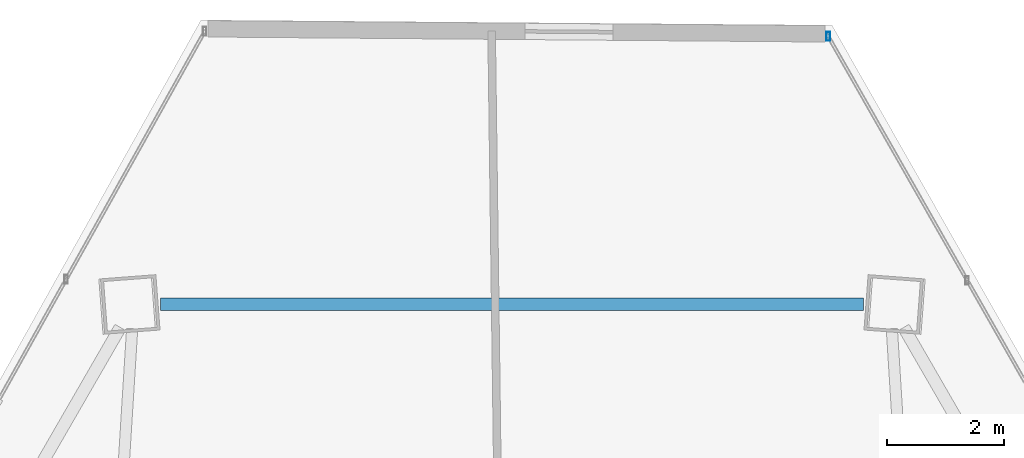
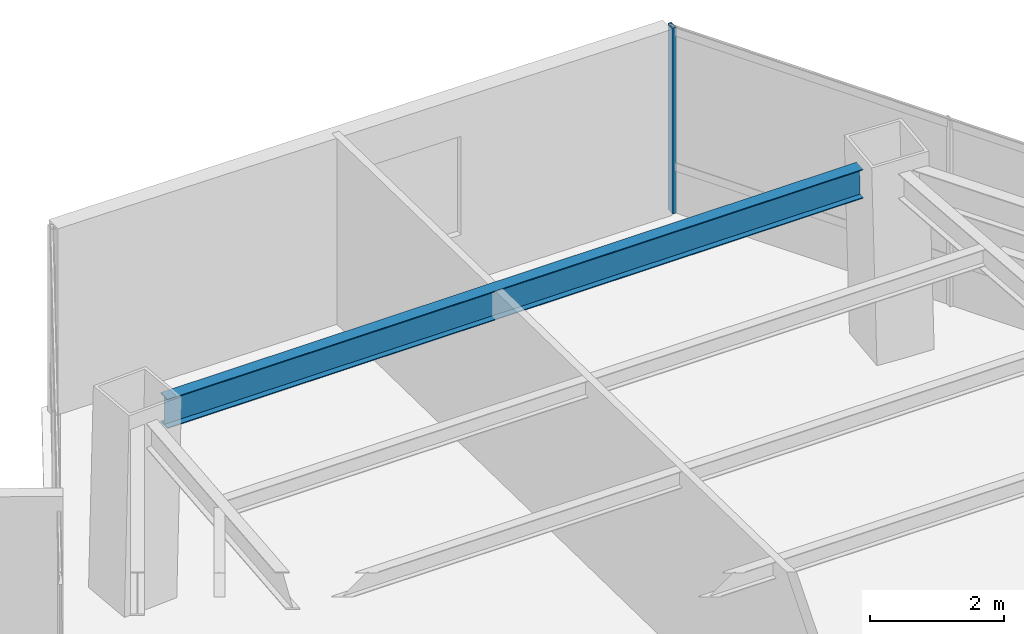
# One storey, part 29 of 39: 1 beam, 1 member, 1 element without a shape of its own.
"""IFC4 building model written with IfcOpenShell, lengths in metres."""

from ifc_helpers import new_model, si_unit, direction, frame, origin, origin_2d, place, context, subcontext, project, spatial, hollow_rectangle, i_section, extrude, source, transform, mapped, material, material_profile, profile_set, type_object, type_shapes, element, aggregate, save


model = new_model("IFC4")

# Units and contexts
model_context = context("Model", 3, precision=1e-05, world=origin(), true_north=direction((0.0, 1.0)))
body_context = subcontext(model_context, "Body", "Model", "MODEL_VIEW")
ifc_project = project(units=[si_unit("LENGTHUNIT", "METRE"), si_unit("AREAUNIT", "SQUARE_METRE"), si_unit("VOLUMEUNIT", "CUBIC_METRE"), si_unit("PLANEANGLEUNIT", "RADIAN"), si_unit("MASSUNIT", "GRAM", prefix="KILO")], contexts=[model_context])

# Site, building, storey
site_placement = place(None, origin())
site = spatial("IfcSite", under=ifc_project, at=site_placement, CompositionType="ELEMENT")
building_placement = place(site_placement, origin())
building = spatial("IfcBuilding", under=site, at=building_placement, Name="Caelisora Broadcast Tower", CompositionType="ELEMENT")
storey_placement = place(building_placement, frame((0.0, 0.0, 142.75)))
storey = spatial("IfcBuildingStorey", under=building, at=storey_placement, Name="L37", CompositionType="ELEMENT", Elevation=142.75)

# Beam
ifc_material_1 = material(Name="Steel Grade 350 (AS/NZS 3679.1)", Category="steel")
ifc_material_profile_1 = material_profile(ifc_material_1, i_section(OverallWidth=0.208984375, OverallDepth=0.532958984375, WebThickness=0.01025390625, FlangeThickness=0.015625, at=origin_2d()), Name="Steel Grade 350 (AS/NZS 3679.1)")
ifc_profile_set_1 = profile_set([ifc_material_profile_1], Name="Steel Grade 350 (AS/NZS 3679.1)")
beam_type = type_object("IfcBeamType", Name="PG05", PredefinedType="BEAM", material=ifc_profile_set_1)
shared_shape_1 = source(origin(), body_context, "Body", "SweptSolid", [
    extrude(i_section(OverallWidth=0.208984375, OverallDepth=0.532958984375, WebThickness=0.01025390625, FlangeThickness=0.015625, at=origin_2d()), origin(), (0.0, 0.0, 1.0), 12.02734375),
])
type_shapes(beam_type, [shared_shape_1])
beam_placement = place(storey_placement, frame((44.013671875, 46.481201171875, 3.133544921875), z_axis=(-1.0, 0.0, 0.0), x_axis=(0.0, -1.0, 0.0)))
element("IfcBeam", 1, at=beam_placement, inside=storey, type_object=beam_type, Name="L37 beam PG05", PredefinedType="BEAM", context=body_context, shape_type="MappedRepresentation", body=[
    mapped(shared_shape_1, transform((0.0, 0.0, 0.0), scale=1.0)),
])

# Curtain wall, member
ifc_material_2 = material(Name="Unitised Aluminium and Low-E Glass Curtain Wall", Category="glass")
curtain_wall_type = type_object("IfcCurtainWallType", Name="CW-Z3", PredefinedType="NOTDEFINED", material=ifc_material_2)
curtain_wall_placement = place(storey_placement, origin())
curtain_wall = element("IfcCurtainWall", 2, at=curtain_wall_placement, inside=storey, type_object=curtain_wall_type, Name="L37 curtain wall CW-Z3", PredefinedType="NOTDEFINED")
ifc_material_3 = material(Name="Aluminium 6063-T6 Anodised Terracotta Bronze", Category="aluminium")
ifc_material_profile_2 = material_profile(ifc_material_3, hollow_rectangle(XDim=0.06005859375, YDim=0.14990234375, WallThickness=0.00341796875, at=origin_2d()), Name="Aluminium 6063-T6 Anodised Terracotta Bronze")
ifc_profile_set_2 = profile_set([ifc_material_profile_2], Name="Aluminium 6063-T6 Anodised Terracotta Bronze")
member_type = type_object("IfcMemberType", Name="CWM-03", PredefinedType="MULLION", material=ifc_profile_set_2)
shared_shape_2 = source(origin(), body_context, "Body", "SweptSolid", [
    extrude(hollow_rectangle(XDim=0.06005859375, YDim=0.14990234375, WallThickness=0.00341796875, at=origin_2d()), origin(), (0.0, 0.0, 1.0), 3.39990234375),
])
type_shapes(member_type, [shared_shape_2])
member_placement = place(storey_placement, frame((43.41162109375, 51.063720703125, 0.0), z_axis=(0.0, 0.0, 1.0), x_axis=(1.0, 0.0, 0.0)))
member = element("IfcMember", 3, at=member_placement, type_object=member_type, Name="L37-CW-B01 mullion #0", PredefinedType="MULLION", context=body_context, shape_type="MappedRepresentation", body=[
    mapped(shared_shape_2, transform((0.0, 0.0, 0.0), scale=1.0)),
])
aggregate(curtain_wall, [member])

save(model, "model.ifc")
